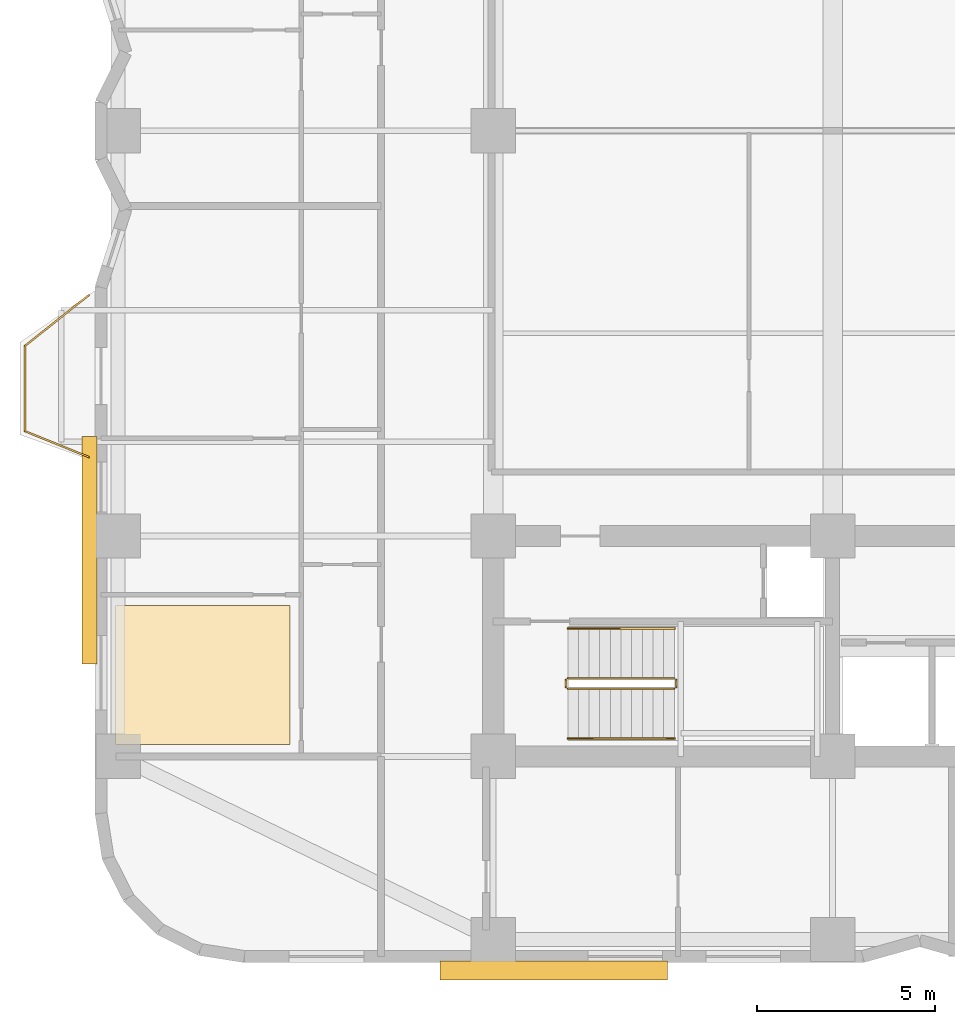
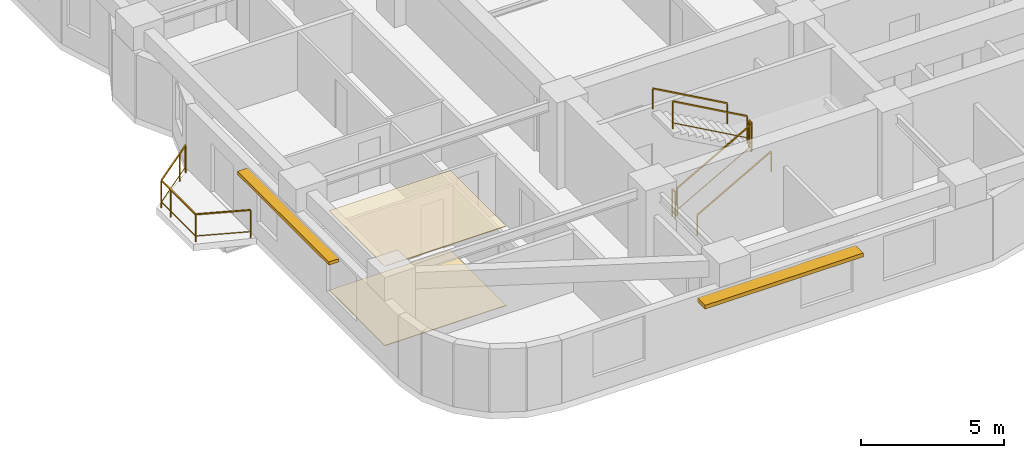
# One storey, part 11 of 13: 7 railings, 2 coverings, 2 shading devices.
"""IFC4 building model written with IfcOpenShell, lengths in metres."""

from ifc_helpers import new_model, si_unit, direction, frame, origin, origin_2d, place, context, subcontext, project, spatial, polyline, rectangle, outline, extrude, material, layer, layer_set, type_object, element, save


model = new_model("IFC4")

# Units and contexts
model_context = context("Model", 3, precision=1e-05, world=origin(), true_north=direction((0.0, 1.0)))
body_context = subcontext(model_context, "Body", "Model", "MODEL_VIEW")
ifc_project = project(units=[si_unit("LENGTHUNIT", "METRE"), si_unit("AREAUNIT", "SQUARE_METRE"), si_unit("VOLUMEUNIT", "CUBIC_METRE"), si_unit("PLANEANGLEUNIT", "RADIAN"), si_unit("MASSUNIT", "GRAM", prefix="KILO")], contexts=[model_context])

# Site, building, storey
site_placement = place(None, origin())
site = spatial("IfcSite", under=ifc_project, at=site_placement, CompositionType="ELEMENT")
building_placement = place(site_placement, origin())
building = spatial("IfcBuilding", under=site, at=building_placement, Name="Svetorya Sky Lyceum", CompositionType="ELEMENT")
storey_placement = place(building_placement, frame((0.0, 0.0, 58.39990234375)))
storey = spatial("IfcBuildingStorey", under=building, at=storey_placement, Name="L14", CompositionType="ELEMENT", Elevation=58.39990234375)

# Coverings
ifc_material_1 = material(Name="Fire-retardant birch acoustic slat ceiling")
ifc_layer_1 = layer(ifc_material_1, 0.031982421875)
ifc_layer_set_1 = layer_set([ifc_layer_1], Name="Fire-retardant birch acoustic slat ceiling")
covering_type_1 = type_object("IfcCoveringType", Name="COV-CLG-WD32", PredefinedType="CEILING", material=ifc_layer_set_1)
covering_1_placement = place(storey_placement, frame((0.0, 0.0, 3.38818359375)))
element("IfcCovering", 1, at=covering_1_placement, inside=storey, type_object=covering_type_1, Name="Apartment W1 Living Room Acoustic Ceiling", PredefinedType="CEILING", context=body_context, shape_type="SweptSolid", body=[
    extrude(outline(polyline([(14.98193359375, 10.929931640625), (19.889892578125, 10.929931640625), (19.889892578125, 14.840087890625), (14.98193359375, 14.840087890625), (14.98193359375, 10.929931640625)])), origin(), (0.0, 0.0, 1.0), 0.031982421875),
])
ifc_material_2 = material(Name="Vitrified porcelain slip-resistant tile flooring")
ifc_layer_2 = layer(ifc_material_2, 0.02587890625)
ifc_layer_set_2 = layer_set([ifc_layer_2], Name="Vitrified porcelain slip-resistant tile flooring")
covering_type_2 = type_object("IfcCoveringType", Name="COV-FLR-POR26", PredefinedType="FLOORING", material=ifc_layer_set_2)
covering_2_placement = place(storey_placement, origin())
element("IfcCovering", 2, at=covering_2_placement, inside=storey, type_object=covering_type_2, Name="Apartment W1 Living Room Architectural Flooring", PredefinedType="FLOORING", context=body_context, shape_type="SweptSolid", body=[
    extrude(outline(polyline([(14.98193359375, 10.929931640625), (19.889892578125, 10.929931640625), (19.889892578125, 14.840087890625), (14.98193359375, 14.840087890625), (14.98193359375, 10.929931640625)])), origin(), (0.0, 0.0, 1.0), 0.026123046875),
])

# Railings
ifc_material_3 = material(Name="Laminated safety glass and stainless AISI 316", Category="glass")
railing_type_1 = type_object("IfcRailingType", Name="RL-BAL-1200", PredefinedType="BALUSTRADE", material=ifc_material_3)
railing_1_placement = place(storey_placement, frame((14.22998046875, 19.02001953125, 0.0)))
element("IfcRailing", 3, at=railing_1_placement, inside=storey, type_object=railing_type_1, Name="L14 Balcony Balustrade BAL-W1", PredefinedType="BALUSTRADE", context=body_context, shape_type="SweptSolid", body=[
    extrude(rectangle(XDim=0.048095703125, YDim=0.048095703125, at=origin_2d()), frame((0.0, 0.0, 1.17578125), z_axis=(-0.926697865975, 0.375807218129, 0.0), x_axis=(-0.375807218129, -0.926697865975, 0.0)), (0.0, 0.0, 1.0), 1.9423828125),
    extrude(rectangle(XDim=0.02392578125, YDim=0.02392578125, at=origin_2d()), frame((0.0, 0.0, 0.25), z_axis=(-0.926697865975, 0.375807218129, 0.0), x_axis=(-0.375807218129, -0.926697865975, 0.0)), (0.0, 0.0, 1.0), 1.9423828125),
    extrude(rectangle(XDim=0.048095703125, YDim=0.048095703125, at=origin_2d()), frame((-1.800048828125, 0.72998046875, 1.17578125), z_axis=(0.0, 1.0, 0.0), x_axis=(-1.0, 0.0, 0.0)), (0.0, 0.0, 1.0), 2.39990234375),
    extrude(rectangle(XDim=0.02392578125, YDim=0.02392578125, at=origin_2d()), frame((-1.800048828125, 0.72998046875, 0.25), z_axis=(0.0, 1.0, 0.0), x_axis=(-1.0, 0.0, 0.0)), (0.0, 0.0, 1.0), 2.39990234375),
    extrude(rectangle(XDim=0.048095703125, YDim=0.048095703125, at=origin_2d()), frame((-1.800048828125, 3.1298828125, 1.17578125), z_axis=(0.782957196596, 0.622075580857, 0.0), x_axis=(-0.622075580857, 0.782957196596, 0.0)), (0.0, 0.0, 1.0), 2.299072265625),
    extrude(rectangle(XDim=0.02392578125, YDim=0.02392578125, at=origin_2d()), frame((-1.800048828125, 3.1298828125, 0.25), z_axis=(0.782957196596, 0.622075580857, 0.0), x_axis=(-0.622075580857, 0.782957196596, 0.0)), (0.0, 0.0, 1.0), 2.299072265625),
    extrude(rectangle(XDim=0.0419921875, YDim=0.0419921875, at=origin_2d()), origin(), (0.0, 0.0, 1.0), 1.15185546875),
    extrude(rectangle(XDim=0.0419921875, YDim=0.0419921875, at=origin_2d()), frame((-1.800048828125, 0.72998046875, 0.0)), (0.0, 0.0, 1.0), 1.15185546875),
    extrude(rectangle(XDim=0.0419921875, YDim=0.0419921875, at=origin_2d()), frame((-1.800048828125, 2.47998046875, 0.0)), (0.0, 0.0, 1.0), 1.15185546875),
    extrude(rectangle(XDim=0.0419921875, YDim=0.0419921875, at=origin_2d()), frame((-1.800048828125, 3.1298828125, 0.0)), (0.0, 0.0, 1.0), 1.15185546875),
    extrude(rectangle(XDim=0.0419921875, YDim=0.0419921875, at=origin_2d()), frame((-0.429931640625, 4.218505859375, 0.0)), (0.0, 0.0, 1.0), 1.15185546875),
    extrude(rectangle(XDim=0.0419921875, YDim=0.0419921875, at=origin_2d()), frame((0.0, 4.56005859375, 0.0)), (0.0, 0.0, 1.0), 1.15185546875),
])
ifc_material_4 = material(Name="Painted galvanized stair well guard")
railing_type_2 = type_object("IfcRailingType", Name="RL-STR-GUARD-1200", PredefinedType="GUARDRAIL", material=ifc_material_4)
railing_2_placement = place(storey_placement, frame((27.699951171875, 12.5, 0.168212890625)))
element("IfcRailing", 4, at=railing_2_placement, inside=storey, type_object=railing_type_2, Name="L14 ST-S stair guard 1", PredefinedType="GUARDRAIL", context=body_context, shape_type="SweptSolid", body=[
    extrude(rectangle(XDim=0.048095703125, YDim=0.048095703125, at=origin_2d()), frame((0.0, 0.0, 1.17578125), z_axis=(0.872272294576, 0.0, 0.489020494575), x_axis=(0.0, 1.0, 0.0)), (0.0, 0.0, 1.0), 3.439208984375),
    extrude(rectangle(XDim=0.02392578125, YDim=0.02392578125, at=origin_2d()), frame((0.0, 0.0, 0.25), z_axis=(0.872272294576, 0.0, 0.489020494575), x_axis=(0.0, 1.0, 0.0)), (0.0, 0.0, 1.0), 3.439208984375),
    extrude(rectangle(XDim=0.0419921875, YDim=0.0419921875, at=origin_2d()), origin(), (0.0, 0.0, 1.0), 1.15185546875),
    extrude(rectangle(XDim=0.0419921875, YDim=0.0419921875, at=origin_2d()), frame((3.0, 0.0, 1.681884765625)), (0.0, 0.0, 1.0), 1.15185546875),
])
railing_3_placement = place(storey_placement, frame((30.75, 12.550048828125, 1.85009765625)))
element("IfcRailing", 5, at=railing_3_placement, inside=storey, type_object=railing_type_2, Name="L14 ST-S stair guard 2", PredefinedType="GUARDRAIL", context=body_context, shape_type="SweptSolid", body=[
    extrude(rectangle(XDim=0.048095703125, YDim=0.048095703125, at=origin_2d()), frame((0.0, 0.0, 1.17578125), z_axis=(0.0, 1.0, 0.0), x_axis=(-1.0, 0.0, 0.0)), (0.0, 0.0, 1.0), 0.199951171875),
    extrude(rectangle(XDim=0.02392578125, YDim=0.02392578125, at=origin_2d()), frame((0.0, 0.0, 0.25), z_axis=(0.0, 1.0, 0.0), x_axis=(-1.0, 0.0, 0.0)), (0.0, 0.0, 1.0), 0.199951171875),
    extrude(rectangle(XDim=0.0419921875, YDim=0.0419921875, at=origin_2d()), origin(), (0.0, 0.0, 1.0), 1.15185546875),
    extrude(rectangle(XDim=0.0419921875, YDim=0.0419921875, at=origin_2d()), frame((0.0, 0.199951171875, 0.0)), (0.0, 0.0, 1.0), 1.15185546875),
])
railing_4_placement = place(storey_placement, frame((30.699951171875, 12.800048828125, 2.018310546875)))
element("IfcRailing", 6, at=railing_4_placement, inside=storey, type_object=railing_type_2, Name="L14 ST-S stair guard 3", PredefinedType="GUARDRAIL", context=body_context, shape_type="SweptSolid", body=[
    extrude(rectangle(XDim=0.048095703125, YDim=0.048095703125, at=origin_2d()), frame((0.0, 0.0, 1.17578125), z_axis=(-0.872272294576, 0.0, 0.489020494575), x_axis=(0.0, -1.0, 0.0)), (0.0, 0.0, 1.0), 3.439208984375),
    extrude(rectangle(XDim=0.02392578125, YDim=0.02392578125, at=origin_2d()), frame((0.0, 0.0, 0.25), z_axis=(-0.872272294576, 0.0, 0.489020494575), x_axis=(0.0, -1.0, 0.0)), (0.0, 0.0, 1.0), 3.439208984375),
    extrude(rectangle(XDim=0.0419921875, YDim=0.0419921875, at=origin_2d()), origin(), (0.0, 0.0, 1.0), 1.15185546875),
    extrude(rectangle(XDim=0.0419921875, YDim=0.0419921875, at=origin_2d()), frame((-3.0, 0.0, 1.681884765625)), (0.0, 0.0, 1.0), 1.15185546875),
])
railing_5_placement = place(storey_placement, frame((27.64990234375, 12.550048828125, 0.0)))
element("IfcRailing", 7, at=railing_5_placement, inside=storey, type_object=railing_type_2, Name="L14 ST-S stair guard 4", PredefinedType="GUARDRAIL", context=body_context, shape_type="SweptSolid", body=[
    extrude(rectangle(XDim=0.048095703125, YDim=0.048095703125, at=origin_2d()), frame((0.0, 0.0, 1.17578125), z_axis=(0.0, 1.0, 0.0), x_axis=(-1.0, 0.0, 0.0)), (0.0, 0.0, 1.0), 0.199951171875),
    extrude(rectangle(XDim=0.02392578125, YDim=0.02392578125, at=origin_2d()), frame((0.0, 0.0, 0.25), z_axis=(0.0, 1.0, 0.0), x_axis=(-1.0, 0.0, 0.0)), (0.0, 0.0, 1.0), 0.199951171875),
    extrude(rectangle(XDim=0.0419921875, YDim=0.0419921875, at=origin_2d()), origin(), (0.0, 0.0, 1.0), 1.15185546875),
    extrude(rectangle(XDim=0.0419921875, YDim=0.0419921875, at=origin_2d()), frame((0.0, 0.199951171875, 0.0)), (0.0, 0.0, 1.0), 1.15185546875),
])
ifc_material_5 = material(Name="Brushed stainless AISI 304 stair handrail")
railing_type_3 = type_object("IfcRailingType", Name="RL-STR-HAND-920", PredefinedType="HANDRAIL", material=ifc_material_5)
railing_6_placement = place(storey_placement, frame((27.699951171875, 11.10009765625, 0.168212890625)))
element("IfcRailing", 8, at=railing_6_placement, inside=storey, type_object=railing_type_3, Name="L14 ST-S stair handrail 1", PredefinedType="HANDRAIL", context=body_context, shape_type="SweptSolid", body=[
    extrude(rectangle(XDim=0.048095703125, YDim=0.048095703125, at=origin_2d()), frame((0.0, 0.0, 0.8759765625), z_axis=(0.872272294576, 0.0, 0.489020494575), x_axis=(0.0, 1.0, 0.0)), (0.0, 0.0, 1.0), 3.439208984375),
    extrude(rectangle(XDim=0.0419921875, YDim=0.0419921875, at=origin_2d()), origin(), (0.0, 0.0, 1.0), 0.851806640625),
    extrude(rectangle(XDim=0.0419921875, YDim=0.0419921875, at=origin_2d()), frame((3.0, 0.0, 1.681884765625)), (0.0, 0.0, 1.0), 0.851806640625),
])
railing_7_placement = place(storey_placement, frame((30.699951171875, 14.199951171875, 2.018310546875)))
element("IfcRailing", 9, at=railing_7_placement, inside=storey, type_object=railing_type_3, Name="L14 ST-S stair handrail 2", PredefinedType="HANDRAIL", context=body_context, shape_type="SweptSolid", body=[
    extrude(rectangle(XDim=0.048095703125, YDim=0.048095703125, at=origin_2d()), frame((0.0, 0.0, 0.8759765625), z_axis=(-0.872272294576, 0.0, 0.489020494575), x_axis=(0.0, -1.0, 0.0)), (0.0, 0.0, 1.0), 3.439208984375),
    extrude(rectangle(XDim=0.0419921875, YDim=0.0419921875, at=origin_2d()), origin(), (0.0, 0.0, 1.0), 0.851806640625),
    extrude(rectangle(XDim=0.0419921875, YDim=0.0419921875, at=origin_2d()), frame((-3.0, 0.0, 1.681884765625)), (0.0, 0.0, 1.0), 0.851806640625),
])

# Shading devices
ifc_material_6 = material(Name="Champagne-anodized extruded aluminium solar fin", Category="aluminium")
ifc_layer_3 = layer(ifc_material_6, 0.139892578125)
ifc_layer_set_3 = layer_set([ifc_layer_3], Name="Champagne-anodized extruded aluminium solar fin")
shading_device_type_1 = type_object("IfcShadingDeviceType", Name="SHD-FIN-420", PredefinedType="JALOUSIE", material=ifc_layer_set_3)
shading_device_1_placement = place(storey_placement, frame((14.239990234375, 16.39990234375, 2.41015625), z_axis=(0.0, 0.0, 1.0), x_axis=(1.0, 0.0, 0.0)))
element("IfcShadingDevice", 10, at=shading_device_1_placement, inside=storey, type_object=shading_device_type_1, Name="L14 Solar Brise-Soleil SHD-2.46M", PredefinedType="JALOUSIE", context=body_context, shape_type="SweptSolid", body=[
    extrude(rectangle(XDim=0.419921875, YDim=6.39990234375, at=origin_2d()), origin(), (0.0, 0.0, 1.0), 0.139892578125),
])
ifc_material_7 = material(Name="Champagne-anodized extruded aluminium sunshade", Category="aluminium")
ifc_layer_4 = layer(ifc_material_7, 0.159912109375)
ifc_layer_set_4 = layer_set([ifc_layer_4], Name="Champagne-anodized extruded aluminium sunshade")
shading_device_type_2 = type_object("IfcShadingDeviceType", Name="SHD-LVR-540", PredefinedType="AWNING", material=ifc_layer_set_4)
shading_device_2_placement = place(storey_placement, frame((27.300048828125, 4.580078125, 2.39990234375), z_axis=(0.0, 0.0, 1.0), x_axis=(1.0, 0.0, 0.0)))
element("IfcShadingDevice", 11, at=shading_device_2_placement, inside=storey, type_object=shading_device_type_2, Name="L14 Solar Brise-Soleil SHD-1.6M", PredefinedType="AWNING", context=body_context, shape_type="SweptSolid", body=[
    extrude(rectangle(XDim=6.39990234375, YDim=0.5400390625, at=origin_2d()), origin(), (0.0, 0.0, 1.0), 0.159912109375),
])

save(model, "model.ifc")
